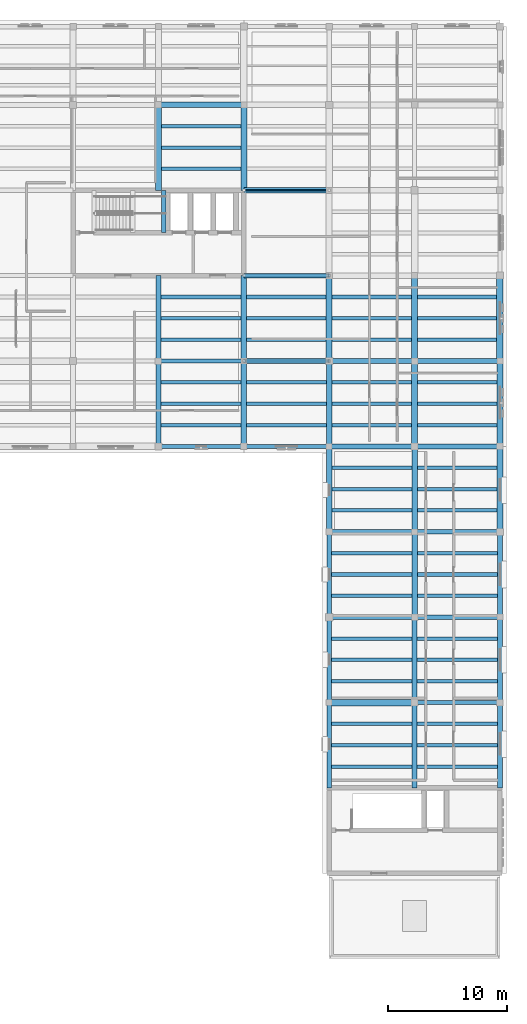
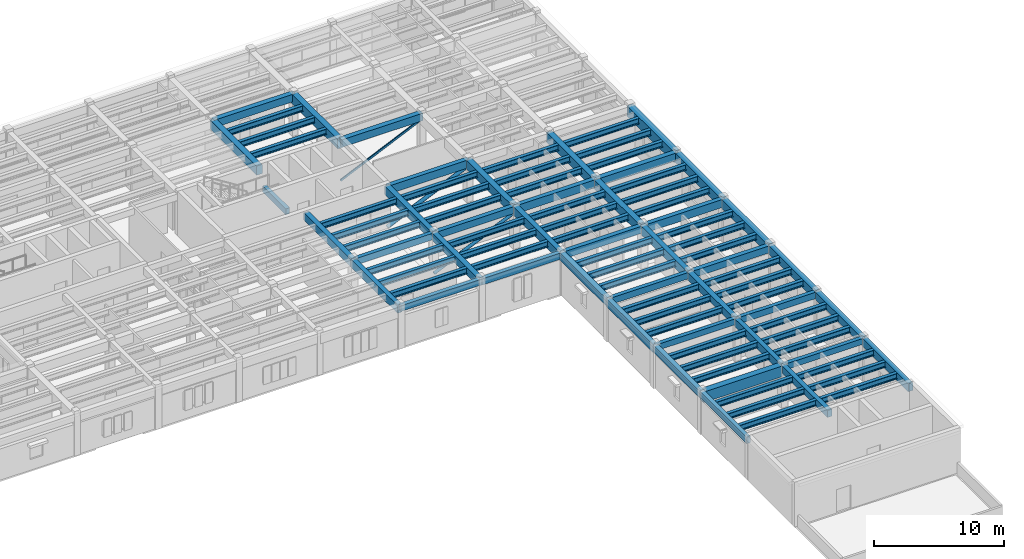
# One storey, part 4 of 27: 93 beams, 3 members.
"""IFC4 building model written with IfcOpenShell, lengths in metres."""

from ifc_helpers import new_model, si_unit, direction, frame, origin, origin_2d, place, context, subcontext, project, spatial, rectangle, hollow_rectangle, hollow_circle, i_section, extrude, material, material_profile, profile_set, type_object, element, save


model = new_model("IFC4")

# Units and contexts
model_context = context("Model", 3, precision=1e-05, world=origin(), true_north=direction((0.0, 1.0)))
body_context = subcontext(model_context, "Body", "Model", "MODEL_VIEW")
ifc_project = project(units=[si_unit("LENGTHUNIT", "METRE"), si_unit("AREAUNIT", "SQUARE_METRE"), si_unit("VOLUMEUNIT", "CUBIC_METRE"), si_unit("PLANEANGLEUNIT", "RADIAN"), si_unit("MASSUNIT", "GRAM", prefix="KILO")], contexts=[model_context])

# Site, building, storey
site_placement = place(None, origin())
site = spatial("IfcSite", under=ifc_project, at=site_placement, CompositionType="ELEMENT")
building_placement = place(site_placement, origin())
building = spatial("IfcBuilding", under=site, at=building_placement, Name="Mithqara Police Headquarters", CompositionType="ELEMENT")
storey_placement = place(building_placement, frame((0.0, 0.0, 18.0)))
storey = spatial("IfcBuildingStorey", under=building, at=storey_placement, Name="L04", CompositionType="ELEMENT", Elevation=18.0)

# Beams
ifc_material_1 = material(Name="Steel S355JR", Category="steel")
ifc_material_profile_1 = material_profile(ifc_material_1, i_section(OverallWidth=0.300048828125, OverallDepth=0.550048828125, WebThickness=0.014892578125, FlangeThickness=0.029052734375, FilletRadius=0.027099609375, at=origin_2d()), Name="HEB 550")
ifc_profile_set_1 = profile_set([ifc_material_profile_1], Name="Steel S355JR")
beam_type_1 = type_object("IfcBeamType", Name="BEAM HEB550", PredefinedType="BEAM", material=ifc_profile_set_1)
for number, where, z_axis, x_axis, name in (
    (1, (137.60009765625, 80.39990234375, 3.6650390625), (1.0, 0.0, 0.0), (0.0, 1.0, 0.0), "L04 Composite Steel Joist 20-21/M.1"),
    (2, (137.60009765625, 82.199951171875, 3.6650390625), (1.0, 0.0, 0.0), (0.0, 1.0, 0.0), "L04 Composite Steel Joist 20-21/M.2"),
    (3, (137.60009765625, 84.0, 3.6650390625), (1.0, 0.0, 0.0), (0.0, 1.0, 0.0), "L04 Composite Steel Joist 20-21/M.3"),
):
    element("IfcBeam", number, at=place(storey_placement, frame(where, z_axis=z_axis, x_axis=x_axis)), inside=storey, type_object=beam_type_1, Name=name, PredefinedType="BEAM", context=body_context, shape_type="SweptSolid", body=[
        extrude(i_section(OverallWidth=0.300048828125, OverallDepth=0.550048828125, WebThickness=0.014892578125, FlangeThickness=0.029052734375, FilletRadius=0.027099609375, at=origin_2d()), origin(), (0.0, 0.0, 1.0), 6.77490234375),
    ])
for number, where, z_axis, x_axis, name in (
    (4, (137.625, 87.60009765625, 3.6650390625), (1.0, 0.0, 0.0), (0.0, 1.0, 0.0), "L04 Composite Steel Joist 20-21/N.1"),
    (5, (137.625, 89.39990234375, 3.6650390625), (1.0, 0.0, 0.0), (0.0, 1.0, 0.0), "L04 Composite Steel Joist 20-21/N.2"),
    (6, (137.625, 91.199951171875, 3.6650390625), (1.0, 0.0, 0.0), (0.0, 1.0, 0.0), "L04 Composite Steel Joist 20-21/N.3"),
):
    element("IfcBeam", number, at=place(storey_placement, frame(where, z_axis=z_axis, x_axis=x_axis)), inside=storey, type_object=beam_type_1, Name=name, PredefinedType="BEAM", context=body_context, shape_type="SweptSolid", body=[
        extrude(i_section(OverallWidth=0.300048828125, OverallDepth=0.550048828125, WebThickness=0.014892578125, FlangeThickness=0.029052734375, FilletRadius=0.027099609375, at=origin_2d()), origin(), (0.0, 0.0, 1.0), 6.75),
    ])
for number, where, z_axis, x_axis, name in (
    (7, (137.64990234375, 102.0, 3.6650390625), (1.0, 0.0, 0.0), (0.0, 1.0, 0.0), "L04 Composite Steel Joist 20-21/Q.1"),
    (8, (137.64990234375, 103.800048828125, 3.6650390625), (1.0, 0.0, 0.0), (0.0, 1.0, 0.0), "L04 Composite Steel Joist 20-21/Q.2"),
    (9, (137.64990234375, 105.60009765625, 3.6650390625), (1.0, 0.0, 0.0), (0.0, 1.0, 0.0), "L04 Composite Steel Joist 20-21/Q.3"),
):
    element("IfcBeam", number, at=place(storey_placement, frame(where, z_axis=z_axis, x_axis=x_axis)), inside=storey, type_object=beam_type_1, Name=name, PredefinedType="BEAM", context=body_context, shape_type="SweptSolid", body=[
        extrude(i_section(OverallWidth=0.300048828125, OverallDepth=0.550048828125, WebThickness=0.014892578125, FlangeThickness=0.029052734375, FilletRadius=0.027099609375, at=origin_2d()), origin(), (0.0, 0.0, 1.0), 6.7001953125),
    ])
for number, where, z_axis, x_axis, name in (
    (10, (144.824951171875, 80.39990234375, 3.6650390625), (1.0, 0.0, 0.0), (0.0, 1.0, 0.0), "L04 Composite Steel Joist 21-22/M.1"),
    (11, (144.824951171875, 82.199951171875, 3.6650390625), (1.0, 0.0, 0.0), (0.0, 1.0, 0.0), "L04 Composite Steel Joist 21-22/M.2"),
    (12, (144.824951171875, 84.0, 3.6650390625), (1.0, 0.0, 0.0), (0.0, 1.0, 0.0), "L04 Composite Steel Joist 21-22/M.3"),
):
    element("IfcBeam", number, at=place(storey_placement, frame(where, z_axis=z_axis, x_axis=x_axis)), inside=storey, type_object=beam_type_1, Name=name, PredefinedType="BEAM", context=body_context, shape_type="SweptSolid", body=[
        extrude(i_section(OverallWidth=0.300048828125, OverallDepth=0.550048828125, WebThickness=0.014892578125, FlangeThickness=0.029052734375, FilletRadius=0.027099609375, at=origin_2d()), origin(), (0.0, 0.0, 1.0), 6.75),
    ])
for number, where, z_axis, x_axis, name in (
    (13, (144.824951171875, 87.60009765625, 3.6650390625), (1.0, 0.0, 0.0), (0.0, 1.0, 0.0), "L04 Composite Steel Joist 21-22/N.1"),
    (14, (144.824951171875, 89.39990234375, 3.6650390625), (1.0, 0.0, 0.0), (0.0, 1.0, 0.0), "L04 Composite Steel Joist 21-22/N.2"),
    (15, (144.824951171875, 91.199951171875, 3.6650390625), (1.0, 0.0, 0.0), (0.0, 1.0, 0.0), "L04 Composite Steel Joist 21-22/N.3"),
):
    element("IfcBeam", number, at=place(storey_placement, frame(where, z_axis=z_axis, x_axis=x_axis)), inside=storey, type_object=beam_type_1, Name=name, PredefinedType="BEAM", context=body_context, shape_type="SweptSolid", body=[
        extrude(i_section(OverallWidth=0.300048828125, OverallDepth=0.550048828125, WebThickness=0.014892578125, FlangeThickness=0.029052734375, FilletRadius=0.027099609375, at=origin_2d()), origin(), (0.0, 0.0, 1.0), 6.72509765625),
    ])
for number, where, z_axis, x_axis, name in (
    (16, (151.97509765625, 51.60009765625, 3.6650390625), (1.0, 0.0, 0.0), (0.0, 1.0, 0.0), "L04 Composite Steel Joist 22-23/H.1"),
    (17, (151.97509765625, 53.39990234375, 3.6650390625), (1.0, 0.0, 0.0), (0.0, 1.0, 0.0), "L04 Composite Steel Joist 22-23/H.2"),
    (18, (151.97509765625, 55.199951171875, 3.6650390625), (1.0, 0.0, 0.0), (0.0, 1.0, 0.0), "L04 Composite Steel Joist 22-23/H.3"),
):
    element("IfcBeam", number, at=place(storey_placement, frame(where, z_axis=z_axis, x_axis=x_axis)), inside=storey, type_object=beam_type_1, Name=name, PredefinedType="BEAM", context=body_context, shape_type="SweptSolid", body=[
        extrude(i_section(OverallWidth=0.300048828125, OverallDepth=0.550048828125, WebThickness=0.014892578125, FlangeThickness=0.029052734375, FilletRadius=0.027099609375, at=origin_2d()), origin(), (0.0, 0.0, 1.0), 6.824951171875),
    ])
for number, where, z_axis, x_axis, name in (
    (19, (152.0, 58.800048828125, 3.6650390625), (1.0, 0.0, 0.0), (0.0, 1.0, 0.0), "L04 Composite Steel Joist 22-23/J.1"),
    (20, (152.0, 60.60009765625, 3.6650390625), (1.0, 0.0, 0.0), (0.0, 1.0, 0.0), "L04 Composite Steel Joist 22-23/J.2"),
    (21, (152.0, 62.39990234375, 3.6650390625), (1.0, 0.0, 0.0), (0.0, 1.0, 0.0), "L04 Composite Steel Joist 22-23/J.3"),
):
    element("IfcBeam", number, at=place(storey_placement, frame(where, z_axis=z_axis, x_axis=x_axis)), inside=storey, type_object=beam_type_1, Name=name, PredefinedType="BEAM", context=body_context, shape_type="SweptSolid", body=[
        extrude(i_section(OverallWidth=0.300048828125, OverallDepth=0.550048828125, WebThickness=0.014892578125, FlangeThickness=0.029052734375, FilletRadius=0.027099609375, at=origin_2d()), origin(), (0.0, 0.0, 1.0), 6.800048828125),
    ])
for number, where, z_axis, x_axis, name in (
    (22, (152.0, 66.0, 3.6650390625), (1.0, 0.0, 0.0), (0.0, 1.0, 0.0), "L04 Composite Steel Joist 22-23/K.1"),
    (23, (152.0, 67.800048828125, 3.6650390625), (1.0, 0.0, 0.0), (0.0, 1.0, 0.0), "L04 Composite Steel Joist 22-23/K.2"),
    (24, (152.0, 69.60009765625, 3.6650390625), (1.0, 0.0, 0.0), (0.0, 1.0, 0.0), "L04 Composite Steel Joist 22-23/K.3"),
):
    element("IfcBeam", number, at=place(storey_placement, frame(where, z_axis=z_axis, x_axis=x_axis)), inside=storey, type_object=beam_type_1, Name=name, PredefinedType="BEAM", context=body_context, shape_type="SweptSolid", body=[
        extrude(i_section(OverallWidth=0.300048828125, OverallDepth=0.550048828125, WebThickness=0.014892578125, FlangeThickness=0.029052734375, FilletRadius=0.027099609375, at=origin_2d()), origin(), (0.0, 0.0, 1.0), 6.77490234375),
    ])
for number, where, z_axis, x_axis, name in (
    (25, (152.02490234375, 73.199951171875, 3.6650390625), (1.0, 0.0, 0.0), (0.0, 1.0, 0.0), "L04 Composite Steel Joist 22-23/L.1"),
    (26, (152.02490234375, 75.0, 3.6650390625), (1.0, 0.0, 0.0), (0.0, 1.0, 0.0), "L04 Composite Steel Joist 22-23/L.2"),
    (27, (152.02490234375, 76.800048828125, 3.6650390625), (1.0, 0.0, 0.0), (0.0, 1.0, 0.0), "L04 Composite Steel Joist 22-23/L.3"),
):
    element("IfcBeam", number, at=place(storey_placement, frame(where, z_axis=z_axis, x_axis=x_axis)), inside=storey, type_object=beam_type_1, Name=name, PredefinedType="BEAM", context=body_context, shape_type="SweptSolid", body=[
        extrude(i_section(OverallWidth=0.300048828125, OverallDepth=0.550048828125, WebThickness=0.014892578125, FlangeThickness=0.029052734375, FilletRadius=0.027099609375, at=origin_2d()), origin(), (0.0, 0.0, 1.0), 6.75),
    ])
for number, where, z_axis, x_axis, name in (
    (28, (152.02490234375, 80.39990234375, 3.6650390625), (1.0, 0.0, 0.0), (0.0, 1.0, 0.0), "L04 Composite Steel Joist 22-23/M.1"),
    (29, (152.02490234375, 82.199951171875, 3.6650390625), (1.0, 0.0, 0.0), (0.0, 1.0, 0.0), "L04 Composite Steel Joist 22-23/M.2"),
    (30, (152.02490234375, 84.0, 3.6650390625), (1.0, 0.0, 0.0), (0.0, 1.0, 0.0), "L04 Composite Steel Joist 22-23/M.3"),
):
    element("IfcBeam", number, at=place(storey_placement, frame(where, z_axis=z_axis, x_axis=x_axis)), inside=storey, type_object=beam_type_1, Name=name, PredefinedType="BEAM", context=body_context, shape_type="SweptSolid", body=[
        extrude(i_section(OverallWidth=0.300048828125, OverallDepth=0.550048828125, WebThickness=0.014892578125, FlangeThickness=0.029052734375, FilletRadius=0.027099609375, at=origin_2d()), origin(), (0.0, 0.0, 1.0), 6.72509765625),
    ])
for number, where, z_axis, x_axis, name in (
    (31, (152.050048828125, 87.60009765625, 3.6650390625), (1.0, 0.0, 0.0), (0.0, 1.0, 0.0), "L04 Composite Steel Joist 22-23/N.1"),
    (32, (152.050048828125, 89.39990234375, 3.6650390625), (1.0, 0.0, 0.0), (0.0, 1.0, 0.0), "L04 Composite Steel Joist 22-23/N.2"),
    (33, (152.050048828125, 91.199951171875, 3.6650390625), (1.0, 0.0, 0.0), (0.0, 1.0, 0.0), "L04 Composite Steel Joist 22-23/N.3"),
):
    element("IfcBeam", number, at=place(storey_placement, frame(where, z_axis=z_axis, x_axis=x_axis)), inside=storey, type_object=beam_type_1, Name=name, PredefinedType="BEAM", context=body_context, shape_type="SweptSolid", body=[
        extrude(i_section(OverallWidth=0.300048828125, OverallDepth=0.550048828125, WebThickness=0.014892578125, FlangeThickness=0.029052734375, FilletRadius=0.027099609375, at=origin_2d()), origin(), (0.0, 0.0, 1.0), 6.699951171875),
    ])
for number, where, z_axis, x_axis, name in (
    (34, (159.199951171875, 51.60009765625, 3.6650390625), (1.0, 0.0, 0.0), (0.0, 1.0, 0.0), "L04 Composite Steel Joist 23-24/H.1"),
    (35, (159.199951171875, 53.39990234375, 3.6650390625), (1.0, 0.0, 0.0), (0.0, 1.0, 0.0), "L04 Composite Steel Joist 23-24/H.2"),
    (36, (159.199951171875, 55.199951171875, 3.6650390625), (1.0, 0.0, 0.0), (0.0, 1.0, 0.0), "L04 Composite Steel Joist 23-24/H.3"),
):
    element("IfcBeam", number, at=place(storey_placement, frame(where, z_axis=z_axis, x_axis=x_axis)), inside=storey, type_object=beam_type_1, Name=name, PredefinedType="BEAM", context=body_context, shape_type="SweptSolid", body=[
        extrude(i_section(OverallWidth=0.300048828125, OverallDepth=0.550048828125, WebThickness=0.014892578125, FlangeThickness=0.029052734375, FilletRadius=0.027099609375, at=origin_2d()), origin(), (0.0, 0.0, 1.0), 6.800048828125),
    ])
for number, where, z_axis, x_axis, name in (
    (37, (159.199951171875, 58.800048828125, 3.6650390625), (1.0, 0.0, 0.0), (0.0, 1.0, 0.0), "L04 Composite Steel Joist 23-24/J.1"),
    (38, (159.199951171875, 60.60009765625, 3.6650390625), (1.0, 0.0, 0.0), (0.0, 1.0, 0.0), "L04 Composite Steel Joist 23-24/J.2"),
    (39, (159.199951171875, 62.39990234375, 3.6650390625), (1.0, 0.0, 0.0), (0.0, 1.0, 0.0), "L04 Composite Steel Joist 23-24/J.3"),
):
    element("IfcBeam", number, at=place(storey_placement, frame(where, z_axis=z_axis, x_axis=x_axis)), inside=storey, type_object=beam_type_1, Name=name, PredefinedType="BEAM", context=body_context, shape_type="SweptSolid", body=[
        extrude(i_section(OverallWidth=0.300048828125, OverallDepth=0.550048828125, WebThickness=0.014892578125, FlangeThickness=0.029052734375, FilletRadius=0.027099609375, at=origin_2d()), origin(), (0.0, 0.0, 1.0), 6.775146484375),
    ])
for number, where, z_axis, x_axis, name in (
    (40, (159.22509765625, 66.0, 3.6650390625), (1.0, 0.0, 0.0), (0.0, 1.0, 0.0), "L04 Composite Steel Joist 23-24/K.1"),
    (41, (159.22509765625, 67.800048828125, 3.6650390625), (1.0, 0.0, 0.0), (0.0, 1.0, 0.0), "L04 Composite Steel Joist 23-24/K.2"),
    (42, (159.22509765625, 69.60009765625, 3.6650390625), (1.0, 0.0, 0.0), (0.0, 1.0, 0.0), "L04 Composite Steel Joist 23-24/K.3"),
):
    element("IfcBeam", number, at=place(storey_placement, frame(where, z_axis=z_axis, x_axis=x_axis)), inside=storey, type_object=beam_type_1, Name=name, PredefinedType="BEAM", context=body_context, shape_type="SweptSolid", body=[
        extrude(i_section(OverallWidth=0.300048828125, OverallDepth=0.550048828125, WebThickness=0.014892578125, FlangeThickness=0.029052734375, FilletRadius=0.027099609375, at=origin_2d()), origin(), (0.0, 0.0, 1.0), 6.75),
    ])
for number, where, z_axis, x_axis, name in (
    (43, (159.22509765625, 73.199951171875, 3.6650390625), (1.0, 0.0, 0.0), (0.0, 1.0, 0.0), "L04 Composite Steel Joist 23-24/L.1"),
    (44, (159.22509765625, 75.0, 3.6650390625), (1.0, 0.0, 0.0), (0.0, 1.0, 0.0), "L04 Composite Steel Joist 23-24/L.2"),
    (45, (159.22509765625, 76.800048828125, 3.6650390625), (1.0, 0.0, 0.0), (0.0, 1.0, 0.0), "L04 Composite Steel Joist 23-24/L.3"),
):
    element("IfcBeam", number, at=place(storey_placement, frame(where, z_axis=z_axis, x_axis=x_axis)), inside=storey, type_object=beam_type_1, Name=name, PredefinedType="BEAM", context=body_context, shape_type="SweptSolid", body=[
        extrude(i_section(OverallWidth=0.300048828125, OverallDepth=0.550048828125, WebThickness=0.014892578125, FlangeThickness=0.029052734375, FilletRadius=0.027099609375, at=origin_2d()), origin(), (0.0, 0.0, 1.0), 6.724853515625),
    ])
for number, where, z_axis, x_axis, name in (
    (46, (159.25, 80.39990234375, 3.6650390625), (1.0, 0.0, 0.0), (0.0, 1.0, 0.0), "L04 Composite Steel Joist 23-24/M.1"),
    (47, (159.25, 82.199951171875, 3.6650390625), (1.0, 0.0, 0.0), (0.0, 1.0, 0.0), "L04 Composite Steel Joist 23-24/M.2"),
    (48, (159.25, 84.0, 3.6650390625), (1.0, 0.0, 0.0), (0.0, 1.0, 0.0), "L04 Composite Steel Joist 23-24/M.3"),
):
    element("IfcBeam", number, at=place(storey_placement, frame(where, z_axis=z_axis, x_axis=x_axis)), inside=storey, type_object=beam_type_1, Name=name, PredefinedType="BEAM", context=body_context, shape_type="SweptSolid", body=[
        extrude(i_section(OverallWidth=0.300048828125, OverallDepth=0.550048828125, WebThickness=0.014892578125, FlangeThickness=0.029052734375, FilletRadius=0.027099609375, at=origin_2d()), origin(), (0.0, 0.0, 1.0), 6.699951171875),
    ])
for number, where, z_axis, x_axis, name in (
    (49, (159.25, 87.60009765625, 3.6650390625), (1.0, 0.0, 0.0), (0.0, 1.0, 0.0), "L04 Composite Steel Joist 23-24/N.1"),
    (50, (159.25, 89.39990234375, 3.6650390625), (1.0, 0.0, 0.0), (0.0, 1.0, 0.0), "L04 Composite Steel Joist 23-24/N.2"),
    (51, (159.25, 91.199951171875, 3.6650390625), (1.0, 0.0, 0.0), (0.0, 1.0, 0.0), "L04 Composite Steel Joist 23-24/N.3"),
):
    element("IfcBeam", number, at=place(storey_placement, frame(where, z_axis=z_axis, x_axis=x_axis)), inside=storey, type_object=beam_type_1, Name=name, PredefinedType="BEAM", context=body_context, shape_type="SweptSolid", body=[
        extrude(i_section(OverallWidth=0.300048828125, OverallDepth=0.550048828125, WebThickness=0.014892578125, FlangeThickness=0.029052734375, FilletRadius=0.027099609375, at=origin_2d()), origin(), (0.0, 0.0, 1.0), 6.675048828125),
    ])
ifc_material_2 = material(Name="Concrete C40/50", Category="concrete")
ifc_material_profile_2 = material_profile(ifc_material_2, rectangle(XDim=0.35009765625, YDim=0.550048828125, at=origin_2d()), Name="RC 350x550")
ifc_profile_set_2 = profile_set([ifc_material_profile_2], Name="Concrete C40/50")
beam_type_2 = type_object("IfcBeamType", Name="BEAM RC350X550", PredefinedType="BEAM", material=ifc_profile_set_2)
beam_1_placement = place(storey_placement, frame((137.39990234375, 78.60009765625, 3.6650390625), z_axis=(1.0, 0.0, 0.0), x_axis=(0.0, 1.0, 0.0)))
element("IfcBeam", 52, at=beam_1_placement, inside=storey, type_object=beam_type_2, Name="L04 Girder 20-21/M", PredefinedType="BEAM", context=body_context, shape_type="SweptSolid", body=[
    extrude(rectangle(XDim=0.35009765625, YDim=0.550048828125, at=origin_2d()), origin(), (0.0, 0.0, 1.0), 7.2001953125),
])
for number, where, z_axis, x_axis, name in (
    (53, (151.800048828125, 64.199951171875, 3.6650390625), (1.0, 0.0, 0.0), (0.0, 1.0, 0.0), "L04 Girder 22-23/K"),
    (54, (159.0, 57.0, 3.6650390625), (1.0, 0.0, 0.0), (0.0, 1.0, 0.0), "L04 Girder 23-24/J"),
):
    element("IfcBeam", number, at=place(storey_placement, frame(where, z_axis=z_axis, x_axis=x_axis)), inside=storey, type_object=beam_type_2, Name=name, PredefinedType="BEAM", context=body_context, shape_type="SweptSolid", body=[
        extrude(rectangle(XDim=0.35009765625, YDim=0.550048828125, at=origin_2d()), origin(), (0.0, 0.0, 1.0), 7.199951171875),
    ])
beam_2_placement = place(storey_placement, frame((137.85009765625, 96.6201171875, 1.635009765625), z_axis=(0.0, 1.0, 0.0), x_axis=(-1.0, 0.0, 0.0)))
element("IfcBeam", 55, at=beam_2_placement, inside=storey, type_object=beam_type_2, Name="L04 ST-02 Half-Landing Bearer LB", PredefinedType="BEAM", context=body_context, shape_type="SweptSolid", body=[
    extrude(rectangle(XDim=0.35009765625, YDim=0.550048828125, at=origin_2d()), origin(), (0.0, 0.0, 1.0), 3.579833984375),
])
ifc_material_profile_3 = material_profile(ifc_material_2, rectangle(XDim=0.35009765625, YDim=0.60009765625, at=origin_2d()), Name="RC 350x600")
ifc_profile_set_3 = profile_set([ifc_material_profile_3], Name="Concrete C40/50")
beam_type_3 = type_object("IfcBeamType", Name="BEAM RC350X600", PredefinedType="BEAM", material=ifc_profile_set_3)
beam_3_placement = place(storey_placement, frame((137.39990234375, 85.800048828125, 3.639892578125), z_axis=(1.0, 0.0, 0.0), x_axis=(0.0, 1.0, 0.0)))
element("IfcBeam", 56, at=beam_3_placement, inside=storey, type_object=beam_type_3, Name="L04 Girder 20-21/N", PredefinedType="BEAM", context=body_context, shape_type="SweptSolid", body=[
    extrude(rectangle(XDim=0.35009765625, YDim=0.60009765625, at=origin_2d()), origin(), (0.0, 0.0, 1.0), 7.2001953125),
])
for number, where, z_axis, x_axis, name in (
    (57, (144.60009765625, 78.60009765625, 3.639892578125), (1.0, 0.0, 0.0), (0.0, 1.0, 0.0), "L04 Girder 21-22/M"),
    (58, (151.800048828125, 49.800048828125, 3.639892578125), (0.0, 1.0, 0.0), (-1.0, 0.0, 0.0), "L04 Girder 22/H-J"),
    (59, (151.800048828125, 71.39990234375, 3.639892578125), (1.0, 0.0, 0.0), (0.0, 1.0, 0.0), "L04 Girder 22-23/L"),
    (60, (159.0, 64.199951171875, 3.639892578125), (1.0, 0.0, 0.0), (0.0, 1.0, 0.0), "L04 Girder 23-24/K"),
):
    element("IfcBeam", number, at=place(storey_placement, frame(where, z_axis=z_axis, x_axis=x_axis)), inside=storey, type_object=beam_type_3, Name=name, PredefinedType="BEAM", context=body_context, shape_type="SweptSolid", body=[
        extrude(rectangle(XDim=0.35009765625, YDim=0.60009765625, at=origin_2d()), origin(), (0.0, 0.0, 1.0), 7.199951171875),
    ])
ifc_material_profile_4 = material_profile(ifc_material_2, rectangle(XDim=0.39990234375, YDim=0.64990234375, at=origin_2d()), Name="RC 400x650")
ifc_profile_set_4 = profile_set([ifc_material_profile_4], Name="Concrete C40/50")
beam_type_4 = type_object("IfcBeamType", Name="BEAM RC400X650", PredefinedType="BEAM", material=ifc_profile_set_4)
for number, where, z_axis, x_axis, name in (
    (61, (144.60009765625, 85.800048828125, 3.614990234375), (1.0, 0.0, 0.0), (0.0, 1.0, 0.0), "L04 Girder 21-22/N"),
    (62, (151.800048828125, 57.0, 3.614990234375), (0.0, 1.0, 0.0), (-1.0, 0.0, 0.0), "L04 Girder 22/J-K"),
    (63, (151.800048828125, 78.60009765625, 3.614990234375), (1.0, 0.0, 0.0), (0.0, 1.0, 0.0), "L04 Girder 22-23/M"),
    (64, (159.0, 49.800048828125, 3.614990234375), (0.0, 1.0, 0.0), (-1.0, 0.0, 0.0), "L04 Girder 23/H-J"),
    (65, (159.0, 71.39990234375, 3.614990234375), (1.0, 0.0, 0.0), (0.0, 1.0, 0.0), "L04 Girder 23-24/L"),
):
    element("IfcBeam", number, at=place(storey_placement, frame(where, z_axis=z_axis, x_axis=x_axis)), inside=storey, type_object=beam_type_4, Name=name, PredefinedType="BEAM", context=body_context, shape_type="SweptSolid", body=[
        extrude(rectangle(XDim=0.39990234375, YDim=0.64990234375, at=origin_2d()), origin(), (0.0, 0.0, 1.0), 7.199951171875),
    ])
ifc_material_profile_5 = material_profile(ifc_material_2, rectangle(XDim=0.39990234375, YDim=0.75, at=origin_2d()), Name="RC 400x750")
ifc_profile_set_5 = profile_set([ifc_material_profile_5], Name="Concrete C40/50")
beam_type_5 = type_object("IfcBeamType", Name="BEAM RC400X750", PredefinedType="BEAM", material=ifc_profile_set_5)
for number, where, z_axis, x_axis, name in (
    (66, (137.39990234375, 78.60009765625, 3.56494140625), (0.0, 1.0, 0.0), (-1.0, 0.0, 0.0), "L04 Girder 20/M-N"),
    (67, (144.60009765625, 93.0, 3.56494140625), (1.0, 0.0, 0.0), (0.0, 1.0, 0.0), "L04 Girder 21-22/P"),
    (68, (151.800048828125, 64.199951171875, 3.56494140625), (0.0, 1.0, 0.0), (-1.0, 0.0, 0.0), "L04 Girder 22/K-L"),
    (69, (151.800048828125, 85.800048828125, 3.56494140625), (1.0, 0.0, 0.0), (0.0, 1.0, 0.0), "L04 Girder 22-23/N"),
    (70, (159.0, 57.0, 3.56494140625), (0.0, 1.0, 0.0), (-1.0, 0.0, 0.0), "L04 Girder 23/J-K"),
    (71, (159.0, 78.60009765625, 3.56494140625), (1.0, 0.0, 0.0), (0.0, 1.0, 0.0), "L04 Girder 23-24/M"),
    (72, (166.199951171875, 49.800048828125, 3.56494140625), (0.0, 1.0, 0.0), (-1.0, 0.0, 0.0), "L04 Girder 24/H-J"),
):
    element("IfcBeam", number, at=place(storey_placement, frame(where, z_axis=z_axis, x_axis=x_axis)), inside=storey, type_object=beam_type_5, Name=name, PredefinedType="BEAM", context=body_context, shape_type="SweptSolid", body=[
        extrude(rectangle(XDim=0.39990234375, YDim=0.75, at=origin_2d()), origin(), (0.0, 0.0, 1.0), 7.199951171875),
    ])
ifc_material_profile_6 = material_profile(ifc_material_2, rectangle(XDim=0.449951171875, YDim=0.699951171875, at=origin_2d()), Name="RC 450x700")
ifc_profile_set_6 = profile_set([ifc_material_profile_6], Name="Concrete C40/50")
beam_type_6 = type_object("IfcBeamType", Name="BEAM RC450X700", PredefinedType="BEAM", material=ifc_profile_set_6)
beam_4_placement = place(storey_placement, frame((137.39990234375, 85.800048828125, 3.590087890625), z_axis=(0.0, 1.0, 0.0), x_axis=(-1.0, 0.0, 0.0)))
element("IfcBeam", 73, at=beam_4_placement, inside=storey, type_object=beam_type_6, Name="L04 Girder 20/N-P", PredefinedType="BEAM", context=body_context, shape_type="SweptSolid", body=[
    extrude(rectangle(XDim=0.449951171875, YDim=0.699951171875, at=origin_2d()), origin(), (0.0, 0.0, 1.0), 7.199951171875),
])
beam_5_placement = place(storey_placement, frame((137.39990234375, 107.39990234375, 3.590087890625), z_axis=(1.0, 0.0, 0.0), x_axis=(0.0, 1.0, 0.0)))
element("IfcBeam", 74, at=beam_5_placement, inside=storey, type_object=beam_type_6, Name="L04 Girder 20-21/R", PredefinedType="BEAM", context=body_context, shape_type="SweptSolid", body=[
    extrude(rectangle(XDim=0.449951171875, YDim=0.699951171875, at=origin_2d()), origin(), (0.0, 0.0, 1.0), 7.2001953125),
])
for number, where, z_axis, x_axis, name in (
    (75, (144.60009765625, 78.60009765625, 3.590087890625), (0.0, 1.0, 0.0), (-1.0, 0.0, 0.0), "L04 Girder 21/M-N"),
    (76, (144.60009765625, 100.199951171875, 3.590087890625), (1.0, 0.0, 0.0), (0.0, 1.0, 0.0), "L04 Girder 21-22/Q"),
):
    element("IfcBeam", number, at=place(storey_placement, frame(where, z_axis=z_axis, x_axis=x_axis)), inside=storey, type_object=beam_type_6, Name=name, PredefinedType="BEAM", context=body_context, shape_type="SweptSolid", body=[
        extrude(rectangle(XDim=0.449951171875, YDim=0.699951171875, at=origin_2d()), origin(), (0.0, 0.0, 1.0), 7.199951171875),
    ])
beam_6_placement = place(storey_placement, frame((151.800048828125, 71.39990234375, 3.590087890625), z_axis=(0.0, 1.0, 0.0), x_axis=(-1.0, 0.0, 0.0)))
element("IfcBeam", 77, at=beam_6_placement, inside=storey, type_object=beam_type_6, Name="L04 Girder 22/L-M", PredefinedType="BEAM", context=body_context, shape_type="SweptSolid", body=[
    extrude(rectangle(XDim=0.449951171875, YDim=0.699951171875, at=origin_2d()), origin(), (0.0, 0.0, 1.0), 7.2001953125),
])
for number, where, z_axis, x_axis, name in (
    (78, (159.0, 64.199951171875, 3.590087890625), (0.0, 1.0, 0.0), (-1.0, 0.0, 0.0), "L04 Girder 23/K-L"),
    (79, (159.0, 85.800048828125, 3.590087890625), (1.0, 0.0, 0.0), (0.0, 1.0, 0.0), "L04 Girder 23-24/N"),
    (80, (166.199951171875, 57.0, 3.590087890625), (0.0, 1.0, 0.0), (-1.0, 0.0, 0.0), "L04 Girder 24/J-K"),
):
    element("IfcBeam", number, at=place(storey_placement, frame(where, z_axis=z_axis, x_axis=x_axis)), inside=storey, type_object=beam_type_6, Name=name, PredefinedType="BEAM", context=body_context, shape_type="SweptSolid", body=[
        extrude(rectangle(XDim=0.449951171875, YDim=0.699951171875, at=origin_2d()), origin(), (0.0, 0.0, 1.0), 7.199951171875),
    ])
ifc_material_profile_7 = material_profile(ifc_material_2, rectangle(XDim=0.449951171875, YDim=0.800048828125, at=origin_2d()), Name="RC 450x800")
ifc_profile_set_7 = profile_set([ifc_material_profile_7], Name="Concrete C40/50")
beam_type_7 = type_object("IfcBeamType", Name="BEAM RC450X800", PredefinedType="BEAM", material=ifc_profile_set_7)
for number, where, z_axis, x_axis, name in (
    (81, (144.60009765625, 85.800048828125, 3.5400390625), (0.0, 1.0, 0.0), (-1.0, 0.0, 0.0), "L04 Girder 21/N-P"),
    (82, (151.800048828125, 78.60009765625, 3.5400390625), (0.0, 1.0, 0.0), (-1.0, 0.0, 0.0), "L04 Girder 22/M-N"),
):
    element("IfcBeam", number, at=place(storey_placement, frame(where, z_axis=z_axis, x_axis=x_axis)), inside=storey, type_object=beam_type_7, Name=name, PredefinedType="BEAM", context=body_context, shape_type="SweptSolid", body=[
        extrude(rectangle(XDim=0.449951171875, YDim=0.800048828125, at=origin_2d()), origin(), (0.0, 0.0, 1.0), 7.199951171875),
    ])
beam_7_placement = place(storey_placement, frame((159.0, 71.39990234375, 3.5400390625), z_axis=(0.0, 1.0, 0.0), x_axis=(-1.0, 0.0, 0.0)))
element("IfcBeam", 83, at=beam_7_placement, inside=storey, type_object=beam_type_7, Name="L04 Girder 23/L-M", PredefinedType="BEAM", context=body_context, shape_type="SweptSolid", body=[
    extrude(rectangle(XDim=0.449951171875, YDim=0.800048828125, at=origin_2d()), origin(), (0.0, 0.0, 1.0), 7.2001953125),
])
beam_8_placement = place(storey_placement, frame((166.199951171875, 64.199951171875, 3.5400390625), z_axis=(0.0, 1.0, 0.0), x_axis=(-1.0, 0.0, 0.0)))
element("IfcBeam", 84, at=beam_8_placement, inside=storey, type_object=beam_type_7, Name="L04 Girder 24/K-L", PredefinedType="BEAM", context=body_context, shape_type="SweptSolid", body=[
    extrude(rectangle(XDim=0.449951171875, YDim=0.800048828125, at=origin_2d()), origin(), (0.0, 0.0, 1.0), 7.199951171875),
])
ifc_material_profile_8 = material_profile(ifc_material_2, rectangle(XDim=0.5, YDim=0.85009765625, at=origin_2d()), Name="RC 500x850")
ifc_profile_set_8 = profile_set([ifc_material_profile_8], Name="Concrete C40/50")
beam_type_8 = type_object("IfcBeamType", Name="BEAM RC500X850", PredefinedType="BEAM", material=ifc_profile_set_8)
for number, where, z_axis, x_axis, name in (
    (85, (137.39990234375, 100.199951171875, 3.514892578125), (0.0, 1.0, 0.0), (-1.0, 0.0, 0.0), "L04 Girder 20/Q-R"),
    (86, (151.800048828125, 85.800048828125, 3.514892578125), (0.0, 1.0, 0.0), (-1.0, 0.0, 0.0), "L04 Girder 22/N-P"),
    (87, (159.0, 78.60009765625, 3.514892578125), (0.0, 1.0, 0.0), (-1.0, 0.0, 0.0), "L04 Girder 23/M-N"),
):
    element("IfcBeam", number, at=place(storey_placement, frame(where, z_axis=z_axis, x_axis=x_axis)), inside=storey, type_object=beam_type_8, Name=name, PredefinedType="BEAM", context=body_context, shape_type="SweptSolid", body=[
        extrude(rectangle(XDim=0.5, YDim=0.85009765625, at=origin_2d()), origin(), (0.0, 0.0, 1.0), 7.199951171875),
    ])
beam_9_placement = place(storey_placement, frame((166.199951171875, 71.39990234375, 3.514892578125), z_axis=(0.0, 1.0, 0.0), x_axis=(-1.0, 0.0, 0.0)))
element("IfcBeam", 88, at=beam_9_placement, inside=storey, type_object=beam_type_8, Name="L04 Girder 24/L-M", PredefinedType="BEAM", context=body_context, shape_type="SweptSolid", body=[
    extrude(rectangle(XDim=0.5, YDim=0.85009765625, at=origin_2d()), origin(), (0.0, 0.0, 1.0), 7.2001953125),
])
ifc_material_3 = material(Name="Concrete C50/60", Category="concrete")
ifc_material_profile_9 = material_profile(ifc_material_3, rectangle(XDim=0.5, YDim=0.89990234375, at=origin_2d()), Name="RC 500x900")
ifc_profile_set_9 = profile_set([ifc_material_profile_9], Name="Concrete C50/60")
beam_type_9 = type_object("IfcBeamType", Name="BEAM RC500X900", PredefinedType="BEAM", material=ifc_profile_set_9)
for number, where, z_axis, x_axis, name in (
    (89, (144.60009765625, 100.199951171875, 3.489990234375), (0.0, 1.0, 0.0), (-1.0, 0.0, 0.0), "L04 Girder 21/Q-R"),
    (90, (159.0, 85.800048828125, 3.489990234375), (0.0, 1.0, 0.0), (-1.0, 0.0, 0.0), "L04 Girder 23/N-P"),
    (91, (166.199951171875, 78.60009765625, 3.489990234375), (0.0, 1.0, 0.0), (-1.0, 0.0, 0.0), "L04 Girder 24/M-N"),
):
    element("IfcBeam", number, at=place(storey_placement, frame(where, z_axis=z_axis, x_axis=x_axis)), inside=storey, type_object=beam_type_9, Name=name, PredefinedType="BEAM", context=body_context, shape_type="SweptSolid", body=[
        extrude(rectangle(XDim=0.5, YDim=0.89990234375, at=origin_2d()), origin(), (0.0, 0.0, 1.0), 7.199951171875),
    ])
ifc_material_profile_10 = material_profile(ifc_material_3, rectangle(XDim=0.550048828125, YDim=1.0, at=origin_2d()), Name="RC 550x1000")
ifc_profile_set_10 = profile_set([ifc_material_profile_10], Name="Concrete C50/60")
beam_type_10 = type_object("IfcBeamType", Name="BEAM RC550X1000", PredefinedType="BEAM", material=ifc_profile_set_10)
for number, where, z_axis, x_axis, name in (
    (92, (151.800048828125, 57.0, 3.43994140625), (1.0, 0.0, 0.0), (0.0, 1.0, 0.0), "L04 Girder 22-23/J"),
    (93, (166.199951171875, 85.800048828125, 3.43994140625), (0.0, 1.0, 0.0), (-1.0, 0.0, 0.0), "L04 Girder 24/N-P"),
):
    element("IfcBeam", number, at=place(storey_placement, frame(where, z_axis=z_axis, x_axis=x_axis)), inside=storey, type_object=beam_type_10, Name=name, PredefinedType="BEAM", context=body_context, shape_type="SweptSolid", body=[
        extrude(rectangle(XDim=0.550048828125, YDim=1.0, at=origin_2d()), origin(), (0.0, 0.0, 1.0), 7.199951171875),
    ])

# Members
ifc_material_profile_11 = material_profile(ifc_material_1, hollow_circle(Radius=0.136474609375, WallThickness=0.012451171875, at=origin_2d()), Name="CHS 273.0x12.5")
ifc_profile_set_11 = profile_set([ifc_material_profile_11], Name="Steel S355JR")
member_type_1 = type_object("IfcMemberType", Name="BRACE CHS273", PredefinedType="BRACE", material=ifc_profile_set_11)
member_1_placement = place(storey_placement, frame((144.60009765625, 85.800048828125, 0.0), z_axis=(0.911446126147, 0.0, 0.41141944428), x_axis=(0.0, 1.0, 0.0)))
element("IfcMember", 94, at=member_1_placement, inside=storey, type_object=member_type_1, Name="L04 Lateral Braced Frame Diagonal Y12", PredefinedType="BRACE", context=body_context, shape_type="SweptSolid", body=[
    extrude(hollow_circle(Radius=0.136474609375, WallThickness=0.012451171875, at=origin_2d()), origin(), (0.0, 0.0, 1.0), 7.8994140625),
])
ifc_material_profile_12 = material_profile(ifc_material_1, hollow_circle(Radius=0.161865234375, WallThickness=0.012451171875, at=origin_2d()), Name="CHS 323.9x12.5")
ifc_profile_set_12 = profile_set([ifc_material_profile_12], Name="Steel S355JR")
member_type_2 = type_object("IfcMemberType", Name="BRACE CHS324", PredefinedType="BRACE", material=ifc_profile_set_12)
member_2_placement = place(storey_placement, frame((144.60009765625, 93.0, 0.0), z_axis=(0.911446126147, 0.0, 0.41141944428), x_axis=(0.0, 1.0, 0.0)))
element("IfcMember", 95, at=member_2_placement, inside=storey, type_object=member_type_2, Name="L04 Lateral Braced Frame Diagonal Y13", PredefinedType="BRACE", context=body_context, shape_type="SweptSolid", body=[
    extrude(hollow_circle(Radius=0.161865234375, WallThickness=0.012451171875, at=origin_2d()), origin(), (0.0, 0.0, 1.0), 7.8994140625),
])
ifc_material_profile_13 = material_profile(ifc_material_1, hollow_rectangle(XDim=0.10009765625, YDim=0.199951171875, WallThickness=0.008056640625, InnerFilletRadius=0.008056640625, OuterFilletRadius=0.01611328125, at=origin_2d()), Name="RHS 200x100x8.0")
ifc_profile_set_13 = profile_set([ifc_material_profile_13], Name="Steel S355JR")
member_type_3 = type_object("IfcMemberType", Name="BRACE RHS200", PredefinedType="BRACE", material=ifc_profile_set_13)
member_3_placement = place(storey_placement, frame((144.60009765625, 100.199951171875, 0.0), z_axis=(0.911446126147, 0.0, 0.41141944428), x_axis=(0.0, 1.0, 0.0)))
element("IfcMember", 96, at=member_3_placement, inside=storey, type_object=member_type_3, Name="L04 Lateral Braced Frame Diagonal Y14", PredefinedType="BRACE", context=body_context, shape_type="SweptSolid", body=[
    extrude(hollow_rectangle(XDim=0.10009765625, YDim=0.199951171875, WallThickness=0.008056640625, InnerFilletRadius=0.008056640625, OuterFilletRadius=0.01611328125, at=origin_2d()), origin(), (0.0, 0.0, 1.0), 7.8994140625),
])

save(model, "model.ifc")
